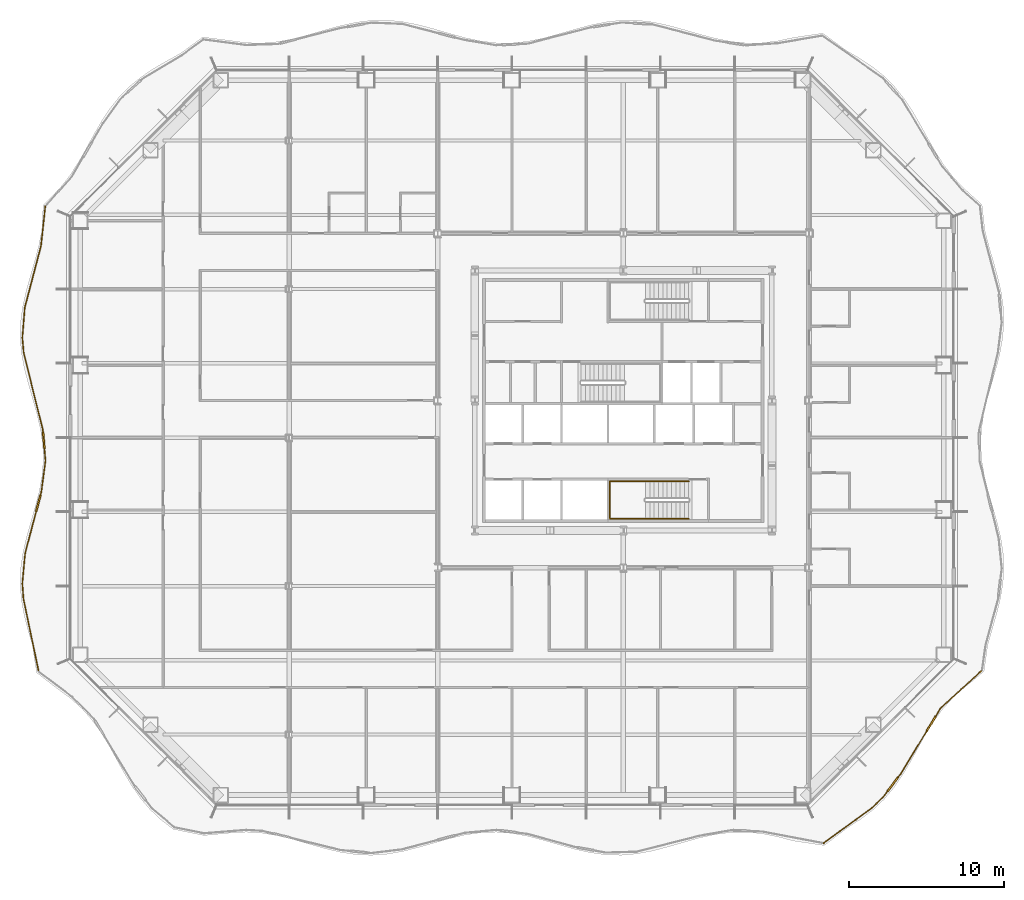
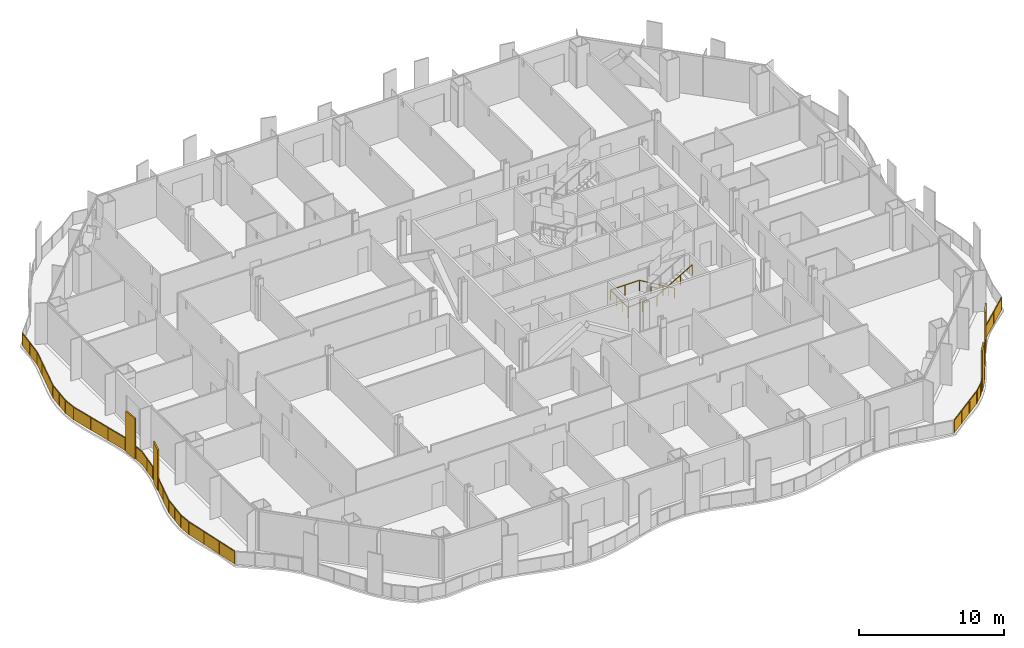
# One storey, part 16 of 20: 3 railings.
"""IFC4 building model written with IfcOpenShell, lengths in metres."""

from ifc_helpers import new_model, si_unit, direction, frame, origin, origin_2d, place, context, subcontext, project, spatial, polyline, rectangle, outline, extrude, material, type_object, element, save


model = new_model("IFC4")

# Units and contexts
model_context = context("Model", 3, precision=1e-05, world=origin(), true_north=direction((0.0, 1.0)))
body_context = subcontext(model_context, "Body", "Model", "MODEL_VIEW")
ifc_project = project(units=[si_unit("LENGTHUNIT", "METRE"), si_unit("AREAUNIT", "SQUARE_METRE"), si_unit("VOLUMEUNIT", "CUBIC_METRE"), si_unit("PLANEANGLEUNIT", "RADIAN"), si_unit("MASSUNIT", "GRAM", prefix="KILO")], contexts=[model_context])

# Site, building, storey
site_placement = place(None, origin())
site = spatial("IfcSite", under=ifc_project, at=site_placement, CompositionType="ELEMENT")
building_placement = place(site_placement, origin())
building = spatial("IfcBuilding", under=site, at=building_placement, Name="Cairn Pilgrim Tower", CompositionType="ELEMENT")
storey_placement = place(building_placement, frame((0.0, 0.0, 61.800048828125)))
storey = spatial("IfcBuildingStorey", under=building, at=storey_placement, Name="L13", CompositionType="ELEMENT", Elevation=61.800048828125)

# Railings
ifc_material_1 = material(Name="Bronze anodised aluminium rail, posts and fin screens with laminated glass infill", Category="aluminium")
railing_type_1 = type_object("IfcRailingType", Name="BALCONY GUARD WITH FIN SCREENS", PredefinedType="GUARDRAIL", material=ifc_material_1)
railing_1_placement = place(storey_placement, frame((20.14453125, -26.207763671875, 0.0)))
element("IfcRailing", 1, at=railing_1_placement, inside=storey, type_object=railing_type_1, Name="Balcony guard BGF-1 with fin screens", PredefinedType="GUARDRAIL", context=body_context, shape_type="SweptSolid", body=[
    extrude(rectangle(XDim=0.050048828125, YDim=0.050048828125, at=origin_2d()), frame((0.0, 0.0, 1.0751953125), z_axis=(0.807432819164, 0.589959526185, 0.0), x_axis=(-0.589959526185, 0.807432819164, 0.0)), (0.0, 0.0, 1.0), 3.86181640625),
    extrude(rectangle(XDim=0.050048828125, YDim=0.050048828125, at=origin_2d()), frame((3.1181640625, 2.2783203125, 1.0751953125), z_axis=(0.723641857834, 0.690175674441, 0.0), x_axis=(-0.690175674441, 0.723641857834, 0.0)), (0.0, 0.0, 1.0), 0.948486328125),
    extrude(rectangle(XDim=1.10009765625, YDim=0.110107421875, at=origin_2d()), frame((4.4697265625, 3.806640625, 0.0), z_axis=(0.0, 0.0, 1.0), x_axis=(0.605811567578, 0.795608160208, 0.0)), (0.0, 0.0, 1.0), 3.39990234375),
    extrude(rectangle(XDim=0.050048828125, YDim=0.050048828125, at=origin_2d()), frame((3.804443359375, 2.932861328125, 1.0751953125), z_axis=(0.605811567578, 0.795608160208, 0.0), x_axis=(-0.795608160208, 0.605811567578, 0.0)), (0.0, 0.0, 1.0), 0.548095703125),
    extrude(rectangle(XDim=0.050048828125, YDim=0.050048828125, at=origin_2d()), frame((4.802978515625, 4.244140625, 1.0751953125), z_axis=(0.605811567578, 0.795608160208, 0.0), x_axis=(-0.795608160208, 0.605811567578, 0.0)), (0.0, 0.0, 1.0), 0.2890625),
    extrude(rectangle(XDim=1.10009765625, YDim=0.110107421875, at=origin_2d()), frame((6.954833984375, 7.726806640625, 0.0), z_axis=(0.0, 0.0, 1.0), x_axis=(0.519337068496, 0.854569487687, 0.0)), (0.0, 0.0, 1.0), 3.39990234375),
    extrude(rectangle(XDim=0.050048828125, YDim=0.050048828125, at=origin_2d()), frame((4.97802734375, 4.47412109375, 1.0751953125), z_axis=(0.519337068496, 0.854569487687, 0.0), x_axis=(-0.854569487687, 0.519337068496, 0.0)), (0.0, 0.0, 1.0), 3.256103515625),
    extrude(rectangle(XDim=0.050048828125, YDim=0.050048828125, at=origin_2d()), frame((7.240478515625, 8.19677734375, 1.0751953125), z_axis=(0.519337068496, 0.854569487687, 0.0), x_axis=(-0.854569487687, 0.519337068496, 0.0)), (0.0, 0.0, 1.0), 0.6484375),
    extrude(rectangle(XDim=0.050048828125, YDim=0.050048828125, at=origin_2d()), frame((7.5771484375, 8.7509765625, 1.0751953125), z_axis=(0.738593263165, 0.674151312101, 0.0), x_axis=(-0.674151312101, 0.738593263165, 0.0)), (0.0, 0.0, 1.0), 3.531005859375),
    extrude(rectangle(XDim=0.050048828125, YDim=0.050048828125, at=origin_2d()), origin(), (0.0, 0.0, 1.0), 1.050048828125),
    extrude(rectangle(XDim=0.050048828125, YDim=0.050048828125, at=origin_2d()), frame((1.039306640625, 0.759521484375, 0.0)), (0.0, 0.0, 1.0), 1.050048828125),
    extrude(rectangle(XDim=0.050048828125, YDim=0.050048828125, at=origin_2d()), frame((2.078857421875, 1.518798828125, 0.0)), (0.0, 0.0, 1.0), 1.050048828125),
    extrude(rectangle(XDim=0.050048828125, YDim=0.050048828125, at=origin_2d()), frame((3.1181640625, 2.2783203125, 0.0)), (0.0, 0.0, 1.0), 1.050048828125),
    extrude(rectangle(XDim=0.050048828125, YDim=0.050048828125, at=origin_2d()), frame((3.804443359375, 2.932861328125, 0.0)), (0.0, 0.0, 1.0), 1.050048828125),
    extrude(rectangle(XDim=0.050048828125, YDim=0.050048828125, at=origin_2d()), frame((4.121337890625, 3.34912109375, 0.0)), (0.0, 0.0, 1.0), 1.050048828125),
    extrude(rectangle(XDim=0.050048828125, YDim=0.050048828125, at=origin_2d()), frame((4.818115234375, 4.26416015625, 0.0)), (0.0, 0.0, 1.0), 1.050048828125),
    extrude(rectangle(XDim=0.050048828125, YDim=0.050048828125, at=origin_2d()), frame((4.97802734375, 4.47412109375, 0.0)), (0.0, 0.0, 1.0), 1.050048828125),
    extrude(rectangle(XDim=0.050048828125, YDim=0.050048828125, at=origin_2d()), frame((5.817138671875, 5.854736328125, 0.0)), (0.0, 0.0, 1.0), 1.050048828125),
    extrude(rectangle(XDim=0.050048828125, YDim=0.050048828125, at=origin_2d()), frame((6.656005859375, 7.2353515625, 0.0)), (0.0, 0.0, 1.0), 1.050048828125),
    extrude(rectangle(XDim=0.050048828125, YDim=0.050048828125, at=origin_2d()), frame((7.25341796875, 8.21826171875, 0.0)), (0.0, 0.0, 1.0), 1.050048828125),
    extrude(rectangle(XDim=0.050048828125, YDim=0.050048828125, at=origin_2d()), frame((7.5771484375, 8.7509765625, 0.0)), (0.0, 0.0, 1.0), 1.050048828125),
    extrude(rectangle(XDim=0.050048828125, YDim=0.050048828125, at=origin_2d()), frame((8.881103515625, 9.941162109375, 0.0)), (0.0, 0.0, 1.0), 1.050048828125),
    extrude(rectangle(XDim=0.050048828125, YDim=0.050048828125, at=origin_2d()), frame((10.18505859375, 11.13134765625, 0.0)), (0.0, 0.0, 1.0), 1.050048828125),
    extrude(outline(polyline([(0.02490234375, 0.0), (1.26220703125, 0.0), (1.26220703125, 1.050048828125), (0.02490234375, 1.050048828125), (0.02490234375, 0.0)])), frame((-0.00341796875, 0.0048828125, 0.0), z_axis=(0.589959526185, -0.807432819164, 0.0), x_axis=(0.807432819164, 0.589959526185, 0.0)), (0.0, 0.0, 1.0), 0.011962890625),
    extrude(outline(polyline([(0.02490234375, 0.0), (1.26220703125, 0.0), (1.26220703125, 1.050048828125), (0.02490234375, 1.050048828125), (0.02490234375, 0.0)])), frame((1.035888671875, 0.76416015625, 0.0), z_axis=(0.589959526185, -0.807432819164, 0.0), x_axis=(0.807432819164, 0.589959526185, 0.0)), (0.0, 0.0, 1.0), 0.011962890625),
    extrude(outline(polyline([(0.02490234375, 0.0), (1.26220703125, 0.0), (1.26220703125, 1.050048828125), (0.02490234375, 1.050048828125), (0.02490234375, 0.0)])), frame((2.0751953125, 1.523681640625, 0.0), z_axis=(0.589959526185, -0.807432819164, 0.0), x_axis=(0.807432819164, 0.589959526185, 0.0)), (0.0, 0.0, 1.0), 0.011962890625),
    extrude(outline(polyline([(0.02490234375, 0.0), (0.92333984375, 0.0), (0.92333984375, 1.050048828125), (0.02490234375, 1.050048828125), (0.02490234375, 0.0)])), frame((3.114013671875, 2.28271484375, 0.0), z_axis=(0.690175674441, -0.723641857834, 0.0), x_axis=(0.723641857834, 0.690175674441, 0.0)), (0.0, 0.0, 1.0), 0.011962890625),
    extrude(outline(polyline([(0.02490234375, 0.0), (0.498046875, 0.0), (0.498046875, 1.050048828125), (0.02490234375, 1.050048828125), (0.02490234375, 0.0)])), frame((3.7998046875, 2.9365234375, 0.0), z_axis=(0.795608160208, -0.605811567578, 0.0), x_axis=(0.605811567578, 0.795608160208, 0.0)), (0.0, 0.0, 1.0), 0.011962890625),
    extrude(outline(polyline([(0.02490234375, 0.0), (0.239013671875, 0.0), (0.239013671875, 1.050048828125), (0.02490234375, 1.050048828125), (0.02490234375, 0.0)])), frame((4.813232421875, 4.267822265625, 0.0), z_axis=(0.795608160208, -0.605811567578, 0.0), x_axis=(0.605811567578, 0.795608160208, 0.0)), (0.0, 0.0, 1.0), 0.011962890625),
    extrude(outline(polyline([(0.02490234375, 0.0), (1.590576171875, 0.0), (1.590576171875, 1.050048828125), (0.02490234375, 1.050048828125), (0.02490234375, 0.0)])), frame((4.972900390625, 4.477294921875, 0.0), z_axis=(0.854569487687, -0.519337068496, 0.0), x_axis=(0.519337068496, 0.854569487687, 0.0)), (0.0, 0.0, 1.0), 0.011962890625),
    extrude(outline(polyline([(0.02490234375, 0.0), (1.590576171875, 0.0), (1.590576171875, 1.050048828125), (0.02490234375, 1.050048828125), (0.02490234375, 0.0)])), frame((5.81201171875, 5.85791015625, 0.0), z_axis=(0.854569487687, -0.519337068496, 0.0), x_axis=(0.519337068496, 0.854569487687, 0.0)), (0.0, 0.0, 1.0), 0.011962890625),
    extrude(outline(polyline([(0.02490234375, 0.0), (0.598388671875, 0.0), (0.598388671875, 1.050048828125), (0.02490234375, 1.050048828125), (0.02490234375, 0.0)])), frame((7.248291015625, 8.22119140625, 0.0), z_axis=(0.854569487687, -0.519337068496, 0.0), x_axis=(0.519337068496, 0.854569487687, 0.0)), (0.0, 0.0, 1.0), 0.011962890625),
    extrude(outline(polyline([(0.02490234375, 0.0), (1.740478515625, 0.0), (1.740478515625, 1.050048828125), (0.02490234375, 1.050048828125), (0.02490234375, 0.0)])), frame((7.572998046875, 8.75537109375, 0.0), z_axis=(0.674151312101, -0.738593263165, 0.0), x_axis=(0.738593263165, 0.674151312101, 0.0)), (0.0, 0.0, 1.0), 0.011962890625),
    extrude(outline(polyline([(0.02490234375, 0.0), (1.740478515625, 0.0), (1.740478515625, 1.050048828125), (0.02490234375, 1.050048828125), (0.02490234375, 0.0)])), frame((8.876953125, 9.945556640625, 0.0), z_axis=(0.674151312101, -0.738593263165, 0.0), x_axis=(0.738593263165, 0.674151312101, 0.0)), (0.0, 0.0, 1.0), 0.011962890625),
])
railing_2_placement = place(storey_placement, frame((-30.162353515625, 14.959716796875, 0.0)))
element("IfcRailing", 2, at=railing_2_placement, inside=storey, type_object=railing_type_1, Name="Balcony guard BGF-6 with fin screens", PredefinedType="GUARDRAIL", context=body_context, shape_type="SweptSolid", body=[
    extrude(rectangle(XDim=0.050048828125, YDim=0.050048828125, at=origin_2d()), frame((0.0, 0.0, 1.0751953125), z_axis=(-0.107811935791, -0.994171306416, 0.0), x_axis=(0.994171306416, -0.107811935791, 0.0)), (0.0, 0.0, 1.0), 2.58837890625),
    extrude(rectangle(XDim=0.050048828125, YDim=0.050048828125, at=origin_2d()), frame((-0.279052734375, -2.5732421875, 1.0751953125), z_axis=(-0.254952755071, -0.966953511128, 0.0), x_axis=(0.966953511128, -0.254952755071, 0.0)), (0.0, 0.0, 1.0), 4.106201171875),
    extrude(rectangle(XDim=0.050048828125, YDim=0.050048828125, at=origin_2d()), frame((-1.325927734375, -6.543701171875, 1.0751953125), z_axis=(-0.079705746146, -0.99681843584, 0.0), x_axis=(0.99681843584, -0.079705746146, 0.0)), (0.0, 0.0, 1.0), 1.966552734375),
    extrude(rectangle(XDim=0.050048828125, YDim=0.050048828125, at=origin_2d()), frame((-1.482666015625, -8.50390625, 1.0751953125), z_axis=(0.086846237799, -0.99622172782, 0.0), x_axis=(0.99622172782, 0.086846237799, 0.0)), (0.0, 0.0, 1.0), 0.97265625),
    extrude(rectangle(XDim=0.050048828125, YDim=0.050048828125, at=origin_2d()), frame((-1.398193359375, -9.472900390625, 1.0751953125), z_axis=(0.241468981361, -0.970408538215, 0.0), x_axis=(0.970408538215, 0.241468981361, 0.0)), (0.0, 0.0, 1.0), 5.116943359375),
    extrude(rectangle(XDim=1.10009765625, YDim=0.110107421875, at=origin_2d()), frame((-0.102783203125, -15.135986328125, 0.0), z_axis=(0.0, 0.0, 1.0), x_axis=(0.085613483658, -0.996328425478, 0.0)), (0.0, 0.0, 1.0), 3.39990234375),
    extrude(rectangle(XDim=0.050048828125, YDim=0.050048828125, at=origin_2d()), frame((-0.16259765625, -14.4384765625, 1.0751953125), z_axis=(0.085613483658, -0.996328425478, 0.0), x_axis=(0.996328425478, 0.085613483658, 0.0)), (0.0, 0.0, 1.0), 0.14990234375),
    extrude(rectangle(XDim=0.050048828125, YDim=0.050048828125, at=origin_2d()), frame((-0.0556640625, -15.683837890625, 1.0751953125), z_axis=(0.085613483658, -0.996328425478, 0.0), x_axis=(0.996328425478, 0.085613483658, 0.0)), (0.0, 0.0, 1.0), 0.771728515625),
    extrude(rectangle(XDim=0.050048828125, YDim=0.050048828125, at=origin_2d()), frame((0.010498046875, -16.452880859375, 1.0751953125), z_axis=(-0.130429612567, -0.991457571541, 0.0), x_axis=(0.991457571541, -0.130429612567, 0.0)), (0.0, 0.0, 1.0), 2.029052734375),
    extrude(rectangle(XDim=1.10009765625, YDim=0.110107421875, at=origin_2d()), frame((-0.452392578125, -19.212890625, 0.0), z_axis=(0.0, 0.0, 1.0), x_axis=(-0.255997139214, -0.966677539159, 0.0)), (0.0, 0.0, 1.0), 3.39990234375),
    extrude(rectangle(XDim=0.050048828125, YDim=0.050048828125, at=origin_2d()), frame((-0.254150390625, -18.464599609375, 1.0751953125), z_axis=(-0.255997139214, -0.966677539159, 0.0), x_axis=(0.966677539159, -0.255997139214, 0.0)), (0.0, 0.0, 1.0), 0.22412109375),
    extrude(rectangle(XDim=0.050048828125, YDim=0.050048828125, at=origin_2d()), frame((-0.593017578125, -19.74462890625, 1.0751953125), z_axis=(-0.255997139214, -0.966677539159, 0.0), x_axis=(0.966677539159, -0.255997139214, 0.0)), (0.0, 0.0, 1.0), 2.782470703125),
    extrude(rectangle(XDim=0.050048828125, YDim=0.050048828125, at=origin_2d()), frame((-1.305419921875, -22.434326171875, 1.0751953125), z_axis=(-0.091485760222, -0.995806384633, 0.0), x_axis=(0.995806384633, -0.091485760222, 0.0)), (0.0, 0.0, 1.0), 1.969482421875),
    extrude(rectangle(XDim=0.050048828125, YDim=0.050048828125, at=origin_2d()), frame((-1.485595703125, -24.3955078125, 1.0751953125), z_axis=(0.074989465163, -0.997184326047, 0.0), x_axis=(0.997184326047, 0.074989465163, 0.0)), (0.0, 0.0, 1.0), 0.973388671875),
    extrude(rectangle(XDim=0.050048828125, YDim=0.050048828125, at=origin_2d()), frame((-1.41259765625, -25.3662109375, 1.0751953125), z_axis=(0.204297164916, -0.978908917319, 0.0), x_axis=(0.978908917319, 0.204297164916, 0.0)), (0.0, 0.0, 1.0), 4.747802734375),
    extrude(rectangle(XDim=0.050048828125, YDim=0.050048828125, at=origin_2d()), origin(), (0.0, 0.0, 1.0), 1.050048828125),
    extrude(rectangle(XDim=0.050048828125, YDim=0.050048828125, at=origin_2d()), frame((-0.1396484375, -1.28662109375, 0.0)), (0.0, 0.0, 1.0), 1.050048828125),
    extrude(rectangle(XDim=0.050048828125, YDim=0.050048828125, at=origin_2d()), frame((-0.279052734375, -2.5732421875, 0.0)), (0.0, 0.0, 1.0), 1.050048828125),
    extrude(rectangle(XDim=0.050048828125, YDim=0.050048828125, at=origin_2d()), frame((-0.6279296875, -3.896728515625, 0.0)), (0.0, 0.0, 1.0), 1.050048828125),
    extrude(rectangle(XDim=0.050048828125, YDim=0.050048828125, at=origin_2d()), frame((-0.97705078125, -5.22021484375, 0.0)), (0.0, 0.0, 1.0), 1.050048828125),
    extrude(rectangle(XDim=0.050048828125, YDim=0.050048828125, at=origin_2d()), frame((-1.325927734375, -6.543701171875, 0.0)), (0.0, 0.0, 1.0), 1.050048828125),
    extrude(rectangle(XDim=0.050048828125, YDim=0.050048828125, at=origin_2d()), frame((-1.404296875, -7.52392578125, 0.0)), (0.0, 0.0, 1.0), 1.050048828125),
    extrude(rectangle(XDim=0.050048828125, YDim=0.050048828125, at=origin_2d()), frame((-1.482666015625, -8.50390625, 0.0)), (0.0, 0.0, 1.0), 1.050048828125),
    extrude(rectangle(XDim=0.050048828125, YDim=0.050048828125, at=origin_2d()), frame((-1.398193359375, -9.472900390625, 0.0)), (0.0, 0.0, 1.0), 1.050048828125),
    extrude(rectangle(XDim=0.050048828125, YDim=0.050048828125, at=origin_2d()), frame((-0.986328125, -11.128173828125, 0.0)), (0.0, 0.0, 1.0), 1.050048828125),
    extrude(rectangle(XDim=0.050048828125, YDim=0.050048828125, at=origin_2d()), frame((-0.574462890625, -12.783203125, 0.0)), (0.0, 0.0, 1.0), 1.050048828125),
    extrude(rectangle(XDim=0.050048828125, YDim=0.050048828125, at=origin_2d()), frame((-0.16259765625, -14.4384765625, 0.0)), (0.0, 0.0, 1.0), 1.050048828125),
    extrude(rectangle(XDim=0.050048828125, YDim=0.050048828125, at=origin_2d()), frame((-0.15185546875, -14.56298828125, 0.0)), (0.0, 0.0, 1.0), 1.050048828125),
    extrude(rectangle(XDim=0.050048828125, YDim=0.050048828125, at=origin_2d()), frame((-0.053466796875, -15.708740234375, 0.0)), (0.0, 0.0, 1.0), 1.050048828125),
    extrude(rectangle(XDim=0.050048828125, YDim=0.050048828125, at=origin_2d()), frame((0.010498046875, -16.452880859375, 0.0)), (0.0, 0.0, 1.0), 1.050048828125),
    extrude(rectangle(XDim=0.050048828125, YDim=0.050048828125, at=origin_2d()), frame((-0.121826171875, -17.458740234375, 0.0)), (0.0, 0.0, 1.0), 1.050048828125),
    extrude(rectangle(XDim=0.050048828125, YDim=0.050048828125, at=origin_2d()), frame((-0.254150390625, -18.464599609375, 0.0)), (0.0, 0.0, 1.0), 1.050048828125),
    extrude(rectangle(XDim=0.050048828125, YDim=0.050048828125, at=origin_2d()), frame((-0.30517578125, -18.656982421875, 0.0)), (0.0, 0.0, 1.0), 1.050048828125),
    extrude(rectangle(XDim=0.050048828125, YDim=0.050048828125, at=origin_2d()), frame((-0.599609375, -19.768798828125, 0.0)), (0.0, 0.0, 1.0), 1.050048828125),
    extrude(rectangle(XDim=0.050048828125, YDim=0.050048828125, at=origin_2d()), frame((-0.952392578125, -21.1015625, 0.0)), (0.0, 0.0, 1.0), 1.050048828125),
    extrude(rectangle(XDim=0.050048828125, YDim=0.050048828125, at=origin_2d()), frame((-1.305419921875, -22.434326171875, 0.0)), (0.0, 0.0, 1.0), 1.050048828125),
    extrude(rectangle(XDim=0.050048828125, YDim=0.050048828125, at=origin_2d()), frame((-1.3955078125, -23.4150390625, 0.0)), (0.0, 0.0, 1.0), 1.050048828125),
    extrude(rectangle(XDim=0.050048828125, YDim=0.050048828125, at=origin_2d()), frame((-1.485595703125, -24.3955078125, 0.0)), (0.0, 0.0, 1.0), 1.050048828125),
    extrude(rectangle(XDim=0.050048828125, YDim=0.050048828125, at=origin_2d()), frame((-1.41259765625, -25.3662109375, 0.0)), (0.0, 0.0, 1.0), 1.050048828125),
    extrude(rectangle(XDim=0.050048828125, YDim=0.050048828125, at=origin_2d()), frame((-1.08935546875, -26.91552734375, 0.0)), (0.0, 0.0, 1.0), 1.050048828125),
    extrude(rectangle(XDim=0.050048828125, YDim=0.050048828125, at=origin_2d()), frame((-0.765869140625, -28.464599609375, 0.0)), (0.0, 0.0, 1.0), 1.050048828125),
    extrude(rectangle(XDim=0.050048828125, YDim=0.050048828125, at=origin_2d()), frame((-0.442626953125, -30.013916015625, 0.0)), (0.0, 0.0, 1.0), 1.050048828125),
    extrude(outline(polyline([(0.02490234375, 0.0), (1.26904296875, 0.0), (1.26904296875, 1.050048828125), (0.02490234375, 1.050048828125), (0.02490234375, 0.0)])), frame((0.005859375, -0.000732421875, 0.0), z_axis=(-0.994171306416, 0.107811935791, 0.0), x_axis=(-0.107811935791, -0.994171306416, 0.0)), (0.0, 0.0, 1.0), 0.011962890625),
    extrude(outline(polyline([(0.02490234375, 0.0), (1.26904296875, 0.0), (1.26904296875, 1.050048828125), (0.02490234375, 1.050048828125), (0.02490234375, 0.0)])), frame((-0.133544921875, -1.287353515625, 0.0), z_axis=(-0.994171306416, 0.107811935791, 0.0), x_axis=(-0.107811935791, -0.994171306416, 0.0)), (0.0, 0.0, 1.0), 0.011962890625),
    extrude(outline(polyline([(0.02490234375, 0.0), (1.34375, 0.0), (1.34375, 1.050048828125), (0.02490234375, 1.050048828125), (0.02490234375, 0.0)])), frame((-0.273193359375, -2.57470703125, 0.0), z_axis=(-0.966953511128, 0.254952755071, 0.0), x_axis=(-0.254952755071, -0.966953511128, 0.0)), (0.0, 0.0, 1.0), 0.011962890625),
    extrude(outline(polyline([(0.02490234375, 0.0), (1.34375, 0.0), (1.34375, 1.050048828125), (0.02490234375, 1.050048828125), (0.02490234375, 0.0)])), frame((-0.622314453125, -3.898193359375, 0.0), z_axis=(-0.966953511128, 0.254952755071, 0.0), x_axis=(-0.254952755071, -0.966953511128, 0.0)), (0.0, 0.0, 1.0), 0.011962890625),
    extrude(outline(polyline([(0.02490234375, 0.0), (1.34375, 0.0), (1.34375, 1.050048828125), (0.02490234375, 1.050048828125), (0.02490234375, 0.0)])), frame((-0.97119140625, -5.2216796875, 0.0), z_axis=(-0.966953511128, 0.254952755071, 0.0), x_axis=(-0.254952755071, -0.966953511128, 0.0)), (0.0, 0.0, 1.0), 0.011962890625),
    extrude(outline(polyline([(0.02490234375, 0.0), (0.958251953125, 0.0), (0.958251953125, 1.050048828125), (0.02490234375, 1.050048828125), (0.02490234375, 0.0)])), frame((-1.320068359375, -6.544189453125, 0.0), z_axis=(-0.99681843584, 0.079705746146, 0.0), x_axis=(-0.079705746146, -0.99681843584, 0.0)), (0.0, 0.0, 1.0), 0.011962890625),
    extrude(outline(polyline([(0.02490234375, 0.0), (0.958251953125, 0.0), (0.958251953125, 1.050048828125), (0.02490234375, 1.050048828125), (0.02490234375, 0.0)])), frame((-1.3984375, -7.524169921875, 0.0), z_axis=(-0.99681843584, 0.079705746146, 0.0), x_axis=(-0.079705746146, -0.99681843584, 0.0)), (0.0, 0.0, 1.0), 0.011962890625),
    extrude(outline(polyline([(0.02490234375, 0.0), (0.94775390625, 0.0), (0.94775390625, 1.050048828125), (0.02490234375, 1.050048828125), (0.02490234375, 0.0)])), frame((-1.476806640625, -8.50341796875, 0.0), z_axis=(-0.99622172782, -0.086846237799, 0.0), x_axis=(0.086846237799, -0.99622172782, 0.0)), (0.0, 0.0, 1.0), 0.011962890625),
    extrude(outline(polyline([(0.02490234375, 0.0), (1.6806640625, 0.0), (1.6806640625, 1.050048828125), (0.02490234375, 1.050048828125), (0.02490234375, 0.0)])), frame((-1.392333984375, -9.471435546875, 0.0), z_axis=(-0.970408538215, -0.241468981361, 0.0), x_axis=(0.241468981361, -0.970408538215, 0.0)), (0.0, 0.0, 1.0), 0.011962890625),
    extrude(outline(polyline([(0.02490234375, 0.0), (1.6806640625, 0.0), (1.6806640625, 1.050048828125), (0.02490234375, 1.050048828125), (0.02490234375, 0.0)])), frame((-0.98046875, -11.126708984375, 0.0), z_axis=(-0.970408538215, -0.241468981361, 0.0), x_axis=(0.241468981361, -0.970408538215, 0.0)), (0.0, 0.0, 1.0), 0.011962890625),
    extrude(outline(polyline([(0.02490234375, 0.0), (1.6806640625, 0.0), (1.6806640625, 1.050048828125), (0.02490234375, 1.050048828125), (0.02490234375, 0.0)])), frame((-0.568603515625, -12.78173828125, 0.0), z_axis=(-0.970408538215, -0.241468981361, 0.0), x_axis=(0.241468981361, -0.970408538215, 0.0)), (0.0, 0.0, 1.0), 0.011962890625),
    extrude(outline(polyline([(0.02490234375, 0.0), (0.099853515625, 0.0), (0.099853515625, 1.050048828125), (0.02490234375, 1.050048828125), (0.02490234375, 0.0)])), frame((-0.15673828125, -14.43798828125, 0.0), z_axis=(-0.996328425478, -0.085613483658, 0.0), x_axis=(0.085613483658, -0.996328425478, 0.0)), (0.0, 0.0, 1.0), 0.011962890625),
    extrude(outline(polyline([(0.02490234375, 0.0), (0.7216796875, 0.0), (0.7216796875, 1.050048828125), (0.02490234375, 1.050048828125), (0.02490234375, 0.0)])), frame((-0.04736328125, -15.708251953125, 0.0), z_axis=(-0.996328425478, -0.085613483658, 0.0), x_axis=(0.085613483658, -0.996328425478, 0.0)), (0.0, 0.0, 1.0), 0.011962890625),
    extrude(outline(polyline([(0.02490234375, 0.0), (0.989501953125, 0.0), (0.989501953125, 1.050048828125), (0.02490234375, 1.050048828125), (0.02490234375, 0.0)])), frame((0.016357421875, -16.45361328125, 0.0), z_axis=(-0.991457571541, 0.130429612567, 0.0), x_axis=(-0.130429612567, -0.991457571541, 0.0)), (0.0, 0.0, 1.0), 0.011962890625),
    extrude(outline(polyline([(0.02490234375, 0.0), (0.989501953125, 0.0), (0.989501953125, 1.050048828125), (0.02490234375, 1.050048828125), (0.02490234375, 0.0)])), frame((-0.115966796875, -17.45947265625, 0.0), z_axis=(-0.991457571541, 0.130429612567, 0.0), x_axis=(-0.130429612567, -0.991457571541, 0.0)), (0.0, 0.0, 1.0), 0.011962890625),
    extrude(outline(polyline([(0.02490234375, 0.0), (0.174072265625, 0.0), (0.174072265625, 1.050048828125), (0.02490234375, 1.050048828125), (0.02490234375, 0.0)])), frame((-0.248291015625, -18.466064453125, 0.0), z_axis=(-0.966677539159, 0.255997139214, 0.0), x_axis=(-0.255997139214, -0.966677539159, 0.0)), (0.0, 0.0, 1.0), 0.011962890625),
    extrude(outline(polyline([(0.02490234375, 0.0), (1.353759765625, 0.0), (1.353759765625, 1.050048828125), (0.02490234375, 1.050048828125), (0.02490234375, 0.0)])), frame((-0.59375, -19.770263671875, 0.0), z_axis=(-0.966677539159, 0.255997139214, 0.0), x_axis=(-0.255997139214, -0.966677539159, 0.0)), (0.0, 0.0, 1.0), 0.011962890625),
    extrude(outline(polyline([(0.02490234375, 0.0), (1.353759765625, 0.0), (1.353759765625, 1.050048828125), (0.02490234375, 1.050048828125), (0.02490234375, 0.0)])), frame((-0.94677734375, -21.10302734375, 0.0), z_axis=(-0.966677539159, 0.255997139214, 0.0), x_axis=(-0.255997139214, -0.966677539159, 0.0)), (0.0, 0.0, 1.0), 0.011962890625),
    extrude(outline(polyline([(0.02490234375, 0.0), (0.959716796875, 0.0), (0.959716796875, 1.050048828125), (0.02490234375, 1.050048828125), (0.02490234375, 0.0)])), frame((-1.299560546875, -22.434814453125, 0.0), z_axis=(-0.995806384633, 0.091485760222, 0.0), x_axis=(-0.091485760222, -0.995806384633, 0.0)), (0.0, 0.0, 1.0), 0.011962890625),
    extrude(outline(polyline([(0.02490234375, 0.0), (0.959716796875, 0.0), (0.959716796875, 1.050048828125), (0.02490234375, 1.050048828125), (0.02490234375, 0.0)])), frame((-1.3896484375, -23.41552734375, 0.0), z_axis=(-0.995806384633, 0.091485760222, 0.0), x_axis=(-0.091485760222, -0.995806384633, 0.0)), (0.0, 0.0, 1.0), 0.011962890625),
    extrude(outline(polyline([(0.02490234375, 0.0), (0.948486328125, 0.0), (0.948486328125, 1.050048828125), (0.02490234375, 1.050048828125), (0.02490234375, 0.0)])), frame((-1.479736328125, -24.39501953125, 0.0), z_axis=(-0.997184326047, -0.074989465163, 0.0), x_axis=(0.074989465163, -0.997184326047, 0.0)), (0.0, 0.0, 1.0), 0.011962890625),
    extrude(outline(polyline([(0.02490234375, 0.0), (1.5576171875, 0.0), (1.5576171875, 1.050048828125), (0.02490234375, 1.050048828125), (0.02490234375, 0.0)])), frame((-1.40673828125, -25.364990234375, 0.0), z_axis=(-0.978908917319, -0.204297164916, 0.0), x_axis=(0.204297164916, -0.978908917319, 0.0)), (0.0, 0.0, 1.0), 0.011962890625),
    extrude(outline(polyline([(0.02490234375, 0.0), (1.5576171875, 0.0), (1.5576171875, 1.050048828125), (0.02490234375, 1.050048828125), (0.02490234375, 0.0)])), frame((-1.08349609375, -26.914306640625, 0.0), z_axis=(-0.978908917319, -0.204297164916, 0.0), x_axis=(0.204297164916, -0.978908917319, 0.0)), (0.0, 0.0, 1.0), 0.011962890625),
    extrude(outline(polyline([(0.02490234375, 0.0), (1.5576171875, 0.0), (1.5576171875, 1.050048828125), (0.02490234375, 1.050048828125), (0.02490234375, 0.0)])), frame((-0.760009765625, -28.46337890625, 0.0), z_axis=(-0.978908917319, -0.204297164916, 0.0), x_axis=(0.204297164916, -0.978908917319, 0.0)), (0.0, 0.0, 1.0), 0.011962890625),
])
ifc_material_2 = material(Name="Painted steel", Category="steel")
railing_type_2 = type_object("IfcRailingType", Name="STAIR HANDRAIL 900", PredefinedType="HANDRAIL", material=ifc_material_2)
railing_3_placement = place(storey_placement, frame((11.425048828125, -2.824951171875, 0.16357421875)))
element("IfcRailing", 3, at=railing_3_placement, inside=storey, type_object=railing_type_2, Name="L13 ST-A stair handrail 1", PredefinedType="HANDRAIL", context=body_context, shape_type="SweptSolid", body=[
    extrude(rectangle(XDim=0.048095703125, YDim=0.048095703125, at=origin_2d()), frame((0.0, 0.0, 0.8759765625), z_axis=(-0.863360870873, 0.0, 0.504586966384), x_axis=(0.0, -1.0, 0.0)), (0.0, 0.0, 1.0), 3.2431640625),
    extrude(rectangle(XDim=0.048095703125, YDim=0.048095703125, at=origin_2d()), frame((-2.800048828125, 0.0, 2.51220703125), z_axis=(-1.0, 0.0, 0.0), x_axis=(0.0, -1.0, 0.0)), (0.0, 0.0, 1.0), 2.300048828125),
    extrude(rectangle(XDim=0.048095703125, YDim=0.048095703125, at=origin_2d()), frame((-5.10009765625, 0.0, 2.51220703125), z_axis=(0.0, -1.0, 0.0), x_axis=(1.0, 0.0, 0.0)), (0.0, 0.0, 1.0), 2.425048828125),
    extrude(rectangle(XDim=0.048095703125, YDim=0.048095703125, at=origin_2d()), frame((-5.10009765625, -2.425048828125, 2.51220703125), z_axis=(0.997480687736, 0.0, 0.070938548008), x_axis=(0.0, 1.0, 0.0)), (0.0, 0.0, 1.0), 2.305908203125),
    extrude(rectangle(XDim=0.048095703125, YDim=0.048095703125, at=origin_2d()), frame((-2.800048828125, -2.425048828125, 2.67578125), z_axis=(0.863393664356, 0.0, 0.504530851732), x_axis=(0.0, 1.0, 0.0)), (0.0, 0.0, 1.0), 3.2431640625),
    extrude(rectangle(XDim=0.0419921875, YDim=0.0419921875, at=origin_2d()), origin(), (0.0, 0.0, 1.0), 0.851806640625),
    extrude(rectangle(XDim=0.0419921875, YDim=0.0419921875, at=origin_2d()), frame((-0.933349609375, 0.0, 0.54541015625)), (0.0, 0.0, 1.0), 0.851806640625),
    extrude(rectangle(XDim=0.0419921875, YDim=0.0419921875, at=origin_2d()), frame((-1.86669921875, 0.0, 1.091064453125)), (0.0, 0.0, 1.0), 0.851806640625),
    extrude(rectangle(XDim=0.0419921875, YDim=0.0419921875, at=origin_2d()), frame((-2.800048828125, 0.0, 1.636474609375)), (0.0, 0.0, 1.0), 0.851806640625),
    extrude(rectangle(XDim=0.0419921875, YDim=0.0419921875, at=origin_2d()), frame((-3.9501953125, 0.0, 1.636474609375)), (0.0, 0.0, 1.0), 0.851806640625),
    extrude(rectangle(XDim=0.0419921875, YDim=0.0419921875, at=origin_2d()), frame((-5.10009765625, 0.0, 1.636474609375)), (0.0, 0.0, 1.0), 0.851806640625),
    extrude(rectangle(XDim=0.0419921875, YDim=0.0419921875, at=origin_2d()), frame((-5.10009765625, -0.808349609375, 1.636474609375)), (0.0, 0.0, 1.0), 0.851806640625),
    extrude(rectangle(XDim=0.0419921875, YDim=0.0419921875, at=origin_2d()), frame((-5.10009765625, -1.61669921875, 1.636474609375)), (0.0, 0.0, 1.0), 0.851806640625),
    extrude(rectangle(XDim=0.0419921875, YDim=0.0419921875, at=origin_2d()), frame((-5.10009765625, -2.425048828125, 1.636474609375)), (0.0, 0.0, 1.0), 0.851806640625),
    extrude(rectangle(XDim=0.0419921875, YDim=0.0419921875, at=origin_2d()), frame((-3.9501953125, -2.425048828125, 1.71826171875)), (0.0, 0.0, 1.0), 0.851806640625),
    extrude(rectangle(XDim=0.0419921875, YDim=0.0419921875, at=origin_2d()), frame((-2.800048828125, -2.425048828125, 1.800048828125)), (0.0, 0.0, 1.0), 0.851806640625),
    extrude(rectangle(XDim=0.0419921875, YDim=0.0419921875, at=origin_2d()), frame((-1.86669921875, -2.425048828125, 2.345458984375)), (0.0, 0.0, 1.0), 0.851806640625),
    extrude(rectangle(XDim=0.0419921875, YDim=0.0419921875, at=origin_2d()), frame((-0.933349609375, -2.425048828125, 2.890869140625)), (0.0, 0.0, 1.0), 0.851806640625),
    extrude(rectangle(XDim=0.0419921875, YDim=0.0419921875, at=origin_2d()), frame((0.0, -2.425048828125, 3.436279296875)), (0.0, 0.0, 1.0), 0.851806640625),
])

save(model, "model.ifc")
